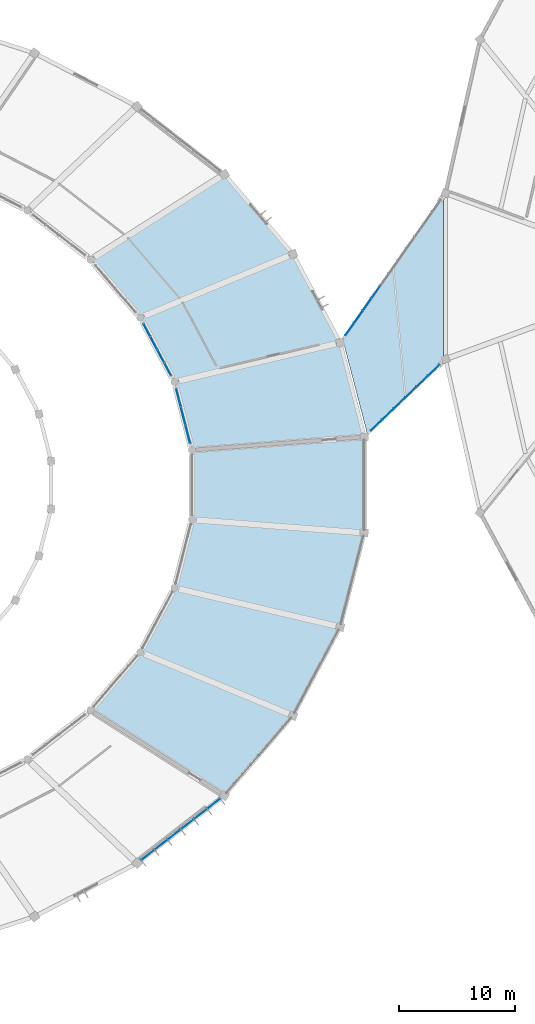
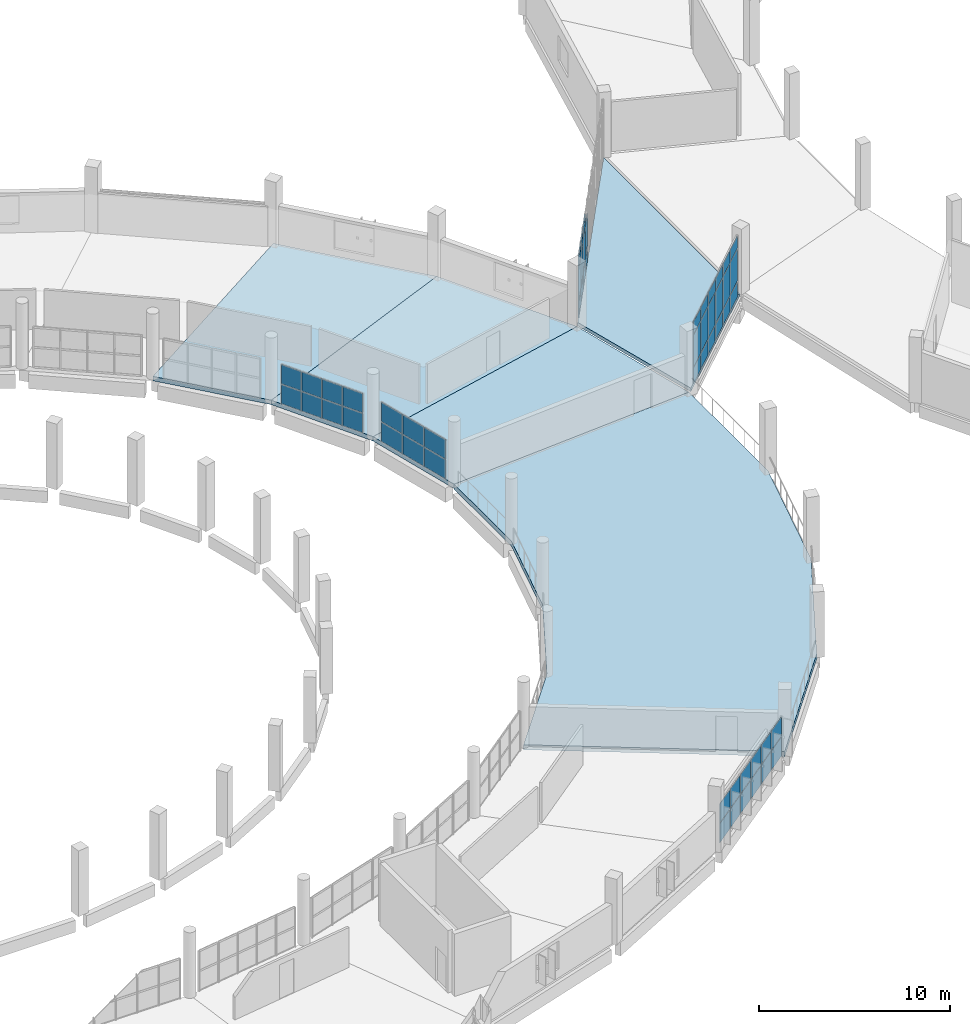
# One storey, part 86 of 142: 55 plates, 5 slabs, 5 elements without a shape of their own.
"""IFC4 building model written with IfcOpenShell, lengths in metres."""

from ifc_helpers import new_model, si_unit, direction, frame, origin, origin_2d, place, context, subcontext, project, spatial, polyline, rectangle, outline, extrude, material, layer, layer_set, type_object, element, aggregate, save


model = new_model("IFC4")

# Units and contexts
model_context = context("Model", 3, precision=1e-05, world=origin(), true_north=direction((0.0, 1.0)))
body_context = subcontext(model_context, "Body", "Model", "MODEL_VIEW")
ifc_project = project(units=[si_unit("LENGTHUNIT", "METRE"), si_unit("AREAUNIT", "SQUARE_METRE"), si_unit("VOLUMEUNIT", "CUBIC_METRE"), si_unit("PLANEANGLEUNIT", "RADIAN"), si_unit("MASSUNIT", "GRAM", prefix="KILO")], contexts=[model_context])

# Site, building, storey
site_placement = place(None, origin())
site = spatial("IfcSite", under=ifc_project, at=site_placement, CompositionType="ELEMENT")
building_placement = place(site_placement, origin())
building = spatial("IfcBuilding", under=site, at=building_placement, Name="Corvandel Quay Wholesale Market", CompositionType="ELEMENT")
storey_placement = place(building_placement, frame((0.0, 0.0, 10.800048828125)))
storey = spatial("IfcBuildingStorey", under=building, at=storey_placement, Name="L02", CompositionType="ELEMENT", Elevation=10.800048828125)

# Curtain wall, plates
ifc_material_1 = material(Name="Bronze anodised aluminium and low-E insulated glazing", Category="aluminium")
ifc_layer_1 = layer(ifc_material_1, 0.174072265625)
ifc_layer_set_1 = layer_set([ifc_layer_1], Name="Bronze anodised aluminium and low-E insulated glazing")
curtain_wall_type_1 = type_object("IfcCurtainWallType", Name="Stick Curtain Wall System CW27 H5430", PredefinedType="NOTDEFINED", material=ifc_layer_set_1)
curtain_wall_1_placement = place(storey_placement, origin())
curtain_wall_1 = element("IfcCurtainWall", 1, at=curtain_wall_1_placement, inside=storey, type_object=curtain_wall_type_1, Name="Curtain Wall CW-0178", PredefinedType="NOTDEFINED")
ifc_material_2 = material(Name="Solar-control low-E insulated glazing", Category="glass")
ifc_layer_2 = layer(ifc_material_2, 0.0400390625)
ifc_layer_set_2 = layer_set([ifc_layer_2], Name="Solar-control low-E insulated glazing")
plate_type_1 = type_object("IfcPlateType", Name="Ceramic Fritted Spandrel Panel PN03 40mm", PredefinedType="CURTAIN_PANEL", material=ifc_layer_set_2)
plate_1_placement = place(storey_placement, frame((169.0498046875, 47.14208984375, 3.1474609375), z_axis=(0.0, 0.0, 1.0), x_axis=(0.72236396206, 0.691513055782, 0.0)))
plate_1 = element("IfcPlate", 2, at=plate_1_placement, type_object=plate_type_1, Name="Glazing Panel CW-0178-P00-2", PredefinedType="CURTAIN_PANEL", context=body_context, shape_type="SweptSolid", body=[
    extrude(rectangle(XDim=1.31689453125, YDim=0.0400390625, at=origin_2d()), origin(), (0.0, 0.0, 1.0), 0.794921875),
])
plate_2_placement = place(storey_placement, frame((170.044189453125, 48.09423828125, 3.1474609375), z_axis=(0.0, 0.0, 1.0), x_axis=(0.72236396206, 0.691513055782, 0.0)))
plate_2 = element("IfcPlate", 3, at=plate_2_placement, type_object=plate_type_1, Name="Glazing Panel CW-0178-P01-2", PredefinedType="CURTAIN_PANEL", context=body_context, shape_type="SweptSolid", body=[
    extrude(rectangle(XDim=1.31689453125, YDim=0.0400390625, at=origin_2d()), origin(), (0.0, 0.0, 1.0), 0.794921875),
])
plate_3_placement = place(storey_placement, frame((171.038818359375, 49.04638671875, 3.1474609375), z_axis=(0.0, 0.0, 1.0), x_axis=(0.72236396206, 0.691513055782, 0.0)))
plate_3 = element("IfcPlate", 4, at=plate_3_placement, type_object=plate_type_1, Name="Glazing Panel CW-0178-P02-2", PredefinedType="CURTAIN_PANEL", context=body_context, shape_type="SweptSolid", body=[
    extrude(rectangle(XDim=1.31689453125, YDim=0.0400390625, at=origin_2d()), origin(), (0.0, 0.0, 1.0), 0.794921875),
])
plate_4_placement = place(storey_placement, frame((172.033447265625, 49.99853515625, 3.1474609375), z_axis=(0.0, 0.0, 1.0), x_axis=(0.72236396206, 0.691513055782, 0.0)))
plate_4 = element("IfcPlate", 5, at=plate_4_placement, type_object=plate_type_1, Name="Glazing Panel CW-0178-P03-2", PredefinedType="CURTAIN_PANEL", context=body_context, shape_type="SweptSolid", body=[
    extrude(rectangle(XDim=1.31689453125, YDim=0.0400390625, at=origin_2d()), origin(), (0.0, 0.0, 1.0), 0.794921875),
])
plate_5_placement = place(storey_placement, frame((173.02783203125, 50.95068359375, 3.1474609375), z_axis=(0.0, 0.0, 1.0), x_axis=(0.72236396206, 0.691513055782, 0.0)))
plate_5 = element("IfcPlate", 6, at=plate_5_placement, type_object=plate_type_1, Name="Glazing Panel CW-0178-P04-2", PredefinedType="CURTAIN_PANEL", context=body_context, shape_type="SweptSolid", body=[
    extrude(rectangle(XDim=1.31689453125, YDim=0.0400390625, at=origin_2d()), origin(), (0.0, 0.0, 1.0), 0.794921875),
])
plate_6_placement = place(storey_placement, frame((174.0224609375, 51.903076171875, 3.1474609375), z_axis=(0.0, 0.0, 1.0), x_axis=(0.72236396206, 0.691513055782, 0.0)))
plate_6 = element("IfcPlate", 7, at=plate_6_placement, type_object=plate_type_1, Name="Glazing Panel CW-0178-P05-2", PredefinedType="CURTAIN_PANEL", context=body_context, shape_type="SweptSolid", body=[
    extrude(rectangle(XDim=1.31689453125, YDim=0.0400390625, at=origin_2d()), origin(), (0.0, 0.0, 1.0), 0.794921875),
])

ifc_layer_3 = layer(ifc_material_1, 0.14990234375)
ifc_layer_set_3 = layer_set([ifc_layer_3], Name="Bronze anodised aluminium and low-E insulated glazing")
curtain_wall_type_2 = type_object("IfcCurtainWallType", Name="Stick Curtain Wall System CW20 H4800", PredefinedType="NOTDEFINED", material=ifc_layer_set_3)
curtain_wall_2_placement = place(storey_placement, origin())
curtain_wall_2 = element("IfcCurtainWall", 8, at=curtain_wall_2_placement, inside=storey, type_object=curtain_wall_type_2, Name="Curtain Wall CW-0179", PredefinedType="NOTDEFINED")
plate_7_placement = place(storey_placement, frame((166.739990234375, 55.410400390625, 3.1474609375), z_axis=(0.0, 0.0, 1.0), x_axis=(0.575148037348, 0.818049347616, 0.0)))
plate_7 = element("IfcPlate", 9, at=plate_7_placement, type_object=plate_type_1, Name="Glazing Panel CW-0179-P00-2", PredefinedType="CURTAIN_PANEL", context=body_context, shape_type="SweptSolid", body=[
    extrude(rectangle(XDim=1.24462890625, YDim=0.0400390625, at=origin_2d()), origin(), (0.0, 0.0, 1.0), 0.794921875),
])
plate_8_placement = place(storey_placement, frame((167.490234375, 56.477783203125, 3.1474609375), z_axis=(0.0, 0.0, 1.0), x_axis=(0.575148037348, 0.818049347616, 0.0)))
plate_8 = element("IfcPlate", 10, at=plate_8_placement, type_object=plate_type_1, Name="Glazing Panel CW-0179-P01-2", PredefinedType="CURTAIN_PANEL", context=body_context, shape_type="SweptSolid", body=[
    extrude(rectangle(XDim=1.24462890625, YDim=0.0400390625, at=origin_2d()), origin(), (0.0, 0.0, 1.0), 0.794921875),
])
plate_9_placement = place(storey_placement, frame((168.240478515625, 57.545166015625, 3.1474609375), z_axis=(0.0, 0.0, 1.0), x_axis=(0.575148037348, 0.818049347616, 0.0)))
plate_9 = element("IfcPlate", 11, at=plate_9_placement, type_object=plate_type_1, Name="Glazing Panel CW-0179-P02-2", PredefinedType="CURTAIN_PANEL", context=body_context, shape_type="SweptSolid", body=[
    extrude(rectangle(XDim=1.24462890625, YDim=0.0400390625, at=origin_2d()), origin(), (0.0, 0.0, 1.0), 0.794921875),
])

# Slabs
ifc_material_3 = material(Name="Precast concrete C45/55", Category="concrete")
ifc_layer_4 = layer(ifc_material_3, 0.219970703125)
ifc_layer_set_4 = layer_set([ifc_layer_4], Name="Precast concrete C45/55")
slab_type_1 = type_object("IfcSlabType", Name="Composite Precast Office Floor Slab 220", PredefinedType="FLOOR", material=ifc_layer_set_4)
slab_1_placement = place(storey_placement, frame((0.0, 0.0, -0.219970703125)))
element("IfcSlab", 12, at=slab_1_placement, inside=storey, type_object=slab_type_1, Name="Slab SLB-0482", PredefinedType="FLOOR", context=body_context, shape_type="SweptSolid", body=[
    extrude(outline(polyline([(168.263916015625, 46.388916015625), (174.80908203125, 52.656005859375), (174.847900390625, 66.944091796875), (166.135009765625, 54.550048828125), (168.263916015625, 46.388916015625)])), origin(), (0.0, 0.0, 1.0), 0.219970703125),
])
ifc_material_4 = material(Name="Concrete C40/50", Category="concrete")
ifc_layer_5 = layer(ifc_material_4, 0.280029296875)
ifc_layer_set_5 = layer_set([ifc_layer_5], Name="Concrete C40/50")
slab_type_2 = type_object("IfcSlabType", Name="Composite Sorting Gallery Floor Slab 280", PredefinedType="FLOOR", material=ifc_layer_set_5)
slab_2_placement = place(storey_placement, frame((0.0, 0.0, -0.280029296875)))
element("IfcSlab", 13, at=slab_2_placement, inside=storey, type_object=slab_type_2, Name="Slab SLB-0006", PredefinedType="FLOOR", context=body_context, shape_type="SweptSolid", body=[
    extrude(outline(polyline([(153.14990234375, 44.9990234375), (151.64501953125, 50.882080078125), (165.925048828125, 54.2509765625), (168.0, 46.136962890625), (153.14990234375, 44.9990234375)])), origin(), (0.0, 0.0, 1.0), 0.280029296875),
])
slab_3_placement = place(storey_placement, frame((0.0, 0.0, -0.280029296875)))
element("IfcSlab", 14, at=slab_3_placement, inside=storey, type_object=slab_type_2, Name="Slab SLB-0011", PredefinedType="FLOOR", context=body_context, shape_type="SweptSolid", body=[
    extrude(outline(polyline([(151.64501953125, 50.882080078125), (148.694091796875, 56.423095703125), (161.85400390625, 61.89404296875), (165.925048828125, 54.2509765625), (151.64501953125, 50.882080078125)])), origin(), (0.0, 0.0, 1.0), 0.280029296875),
])
slab_4_placement = place(storey_placement, frame((0.0, 0.0, -0.280029296875)))
element("IfcSlab", 15, at=slab_4_placement, inside=storey, type_object=slab_type_2, Name="Slab SLB-0016", PredefinedType="FLOOR", context=body_context, shape_type="SweptSolid", body=[
    extrude(outline(polyline([(148.694091796875, 56.423095703125), (144.409912109375, 61.410888671875), (155.945068359375, 68.77294921875), (161.85400390625, 61.89404296875), (148.694091796875, 56.423095703125)])), origin(), (0.0, 0.0, 1.0), 0.280029296875),
])

# Curtain wall, plates
ifc_layer_6 = layer(ifc_material_1, 0.174072265625)
ifc_layer_set_6 = layer_set([ifc_layer_6], Name="Bronze anodised aluminium and low-E insulated glazing")
curtain_wall_type_3 = type_object("IfcCurtainWallType", Name="Stick Curtain Wall System CW22 H4980", PredefinedType="NOTDEFINED", material=ifc_layer_set_6)
curtain_wall_3_placement = place(storey_placement, origin())
curtain_wall_3 = element("IfcCurtainWall", 16, at=curtain_wall_3_placement, inside=storey, type_object=curtain_wall_type_3, Name="Curtain Wall CW-0002", PredefinedType="NOTDEFINED")
ifc_layer_7 = layer(ifc_material_2, 0.028076171875)
ifc_layer_set_7 = layer_set([ifc_layer_7], Name="Solar-control low-E insulated glazing")
plate_type_2 = type_object("IfcPlateType", Name="Double Low-E Vision Panel PN01 28mm", PredefinedType="CURTAIN_PANEL", material=ifc_layer_set_7)
plate_10_placement = place(storey_placement, frame((152.800048828125, 46.366943359375, 0.02978515625), z_axis=(0.0, 0.0, 1.0), x_axis=(-0.247844544316, 0.968799815159, 0.0)))
plate_10 = element("IfcPlate", 17, at=plate_10_placement, type_object=plate_type_2, Name="Glazing Panel CW-0002-P00-0", PredefinedType="CURTAIN_PANEL", context=body_context, shape_type="SweptSolid", body=[
    extrude(rectangle(XDim=1.55908203125, YDim=0.028076171875, at=origin_2d()), origin(), (0.0, 0.0, 1.0), 1.215087890625),
])
plate_11_placement = place(storey_placement, frame((152.800048828125, 46.366943359375, 1.3046875), z_axis=(0.0, 0.0, 1.0), x_axis=(-0.247844544316, 0.968799815159, 0.0)))
plate_11 = element("IfcPlate", 18, at=plate_11_placement, type_object=plate_type_2, Name="Glazing Panel CW-0002-P00-1", PredefinedType="CURTAIN_PANEL", context=body_context, shape_type="SweptSolid", body=[
    extrude(rectangle(XDim=1.55908203125, YDim=0.028076171875, at=origin_2d()), origin(), (0.0, 0.0, 1.0), 1.215087890625),
])
plate_12_placement = place(storey_placement, frame((152.3974609375, 47.9404296875, 0.02978515625), z_axis=(0.0, 0.0, 1.0), x_axis=(-0.247844544316, 0.968799815159, 0.0)))
plate_12 = element("IfcPlate", 19, at=plate_12_placement, type_object=plate_type_2, Name="Glazing Panel CW-0002-P01-0", PredefinedType="CURTAIN_PANEL", context=body_context, shape_type="SweptSolid", body=[
    extrude(rectangle(XDim=1.55908203125, YDim=0.028076171875, at=origin_2d()), origin(), (0.0, 0.0, 1.0), 1.215087890625),
])
plate_13_placement = place(storey_placement, frame((152.3974609375, 47.9404296875, 1.3046875), z_axis=(0.0, 0.0, 1.0), x_axis=(-0.247844544316, 0.968799815159, 0.0)))
plate_13 = element("IfcPlate", 20, at=plate_13_placement, type_object=plate_type_2, Name="Glazing Panel CW-0002-P01-1", PredefinedType="CURTAIN_PANEL", context=body_context, shape_type="SweptSolid", body=[
    extrude(rectangle(XDim=1.55908203125, YDim=0.028076171875, at=origin_2d()), origin(), (0.0, 0.0, 1.0), 1.215087890625),
])
plate_14_placement = place(storey_placement, frame((151.9951171875, 49.513916015625, 0.02978515625), z_axis=(0.0, 0.0, 1.0), x_axis=(-0.247844544316, 0.968799815159, 0.0)))
plate_14 = element("IfcPlate", 21, at=plate_14_placement, type_object=plate_type_2, Name="Glazing Panel CW-0002-P02-0", PredefinedType="CURTAIN_PANEL", context=body_context, shape_type="SweptSolid", body=[
    extrude(rectangle(XDim=1.55908203125, YDim=0.028076171875, at=origin_2d()), origin(), (0.0, 0.0, 1.0), 1.215087890625),
])
plate_15_placement = place(storey_placement, frame((151.9951171875, 49.513916015625, 1.3046875), z_axis=(0.0, 0.0, 1.0), x_axis=(-0.247844544316, 0.968799815159, 0.0)))
plate_15 = element("IfcPlate", 22, at=plate_15_placement, type_object=plate_type_2, Name="Glazing Panel CW-0002-P02-1", PredefinedType="CURTAIN_PANEL", context=body_context, shape_type="SweptSolid", body=[
    extrude(rectangle(XDim=1.55908203125, YDim=0.028076171875, at=origin_2d()), origin(), (0.0, 0.0, 1.0), 1.215087890625),
])
aggregate(curtain_wall_3, [plate_10, plate_11, plate_12, plate_13, plate_14, plate_15])

ifc_layer_8 = layer(ifc_material_1, 0.18603515625)
ifc_layer_set_8 = layer_set([ifc_layer_8], Name="Bronze anodised aluminium and low-E insulated glazing")
curtain_wall_type_4 = type_object("IfcCurtainWallType", Name="Stick Curtain Wall System CW23 H5070", PredefinedType="NOTDEFINED", material=ifc_layer_set_8)
curtain_wall_4_placement = place(storey_placement, origin())
curtain_wall_4 = element("IfcCurtainWall", 23, at=curtain_wall_4_placement, inside=storey, type_object=curtain_wall_type_4, Name="Curtain Wall CW-0005", PredefinedType="NOTDEFINED")
plate_16_placement = place(storey_placement, frame((151.064697265625, 51.9716796875, 0.02978515625), z_axis=(0.0, 0.0, 1.0), x_axis=(-0.470087862033, 0.882619624736, 0.0)))
plate_16 = element("IfcPlate", 24, at=plate_16_placement, type_object=plate_type_2, Name="Glazing Panel CW-0005-P00-0", PredefinedType="CURTAIN_PANEL", context=body_context, shape_type="SweptSolid", body=[
    extrude(rectangle(XDim=1.20458984375, YDim=0.028076171875, at=origin_2d()), origin(), (0.0, 0.0, 1.0), 1.215087890625),
])
plate_17_placement = place(storey_placement, frame((151.064697265625, 51.9716796875, 1.3046875), z_axis=(0.0, 0.0, 1.0), x_axis=(-0.470087862033, 0.882619624736, 0.0)))
plate_17 = element("IfcPlate", 25, at=plate_17_placement, type_object=plate_type_2, Name="Glazing Panel CW-0005-P00-1", PredefinedType="CURTAIN_PANEL", context=body_context, shape_type="SweptSolid", body=[
    extrude(rectangle(XDim=1.20458984375, YDim=0.028076171875, at=origin_2d()), origin(), (0.0, 0.0, 1.0), 1.215087890625),
])
plate_18_placement = place(storey_placement, frame((150.468017578125, 53.09228515625, 0.02978515625), z_axis=(0.0, 0.0, 1.0), x_axis=(-0.470087862033, 0.882619624736, 0.0)))
plate_18 = element("IfcPlate", 26, at=plate_18_placement, type_object=plate_type_2, Name="Glazing Panel CW-0005-P01-0", PredefinedType="CURTAIN_PANEL", context=body_context, shape_type="SweptSolid", body=[
    extrude(rectangle(XDim=1.20458984375, YDim=0.028076171875, at=origin_2d()), origin(), (0.0, 0.0, 1.0), 1.215087890625),
])
plate_19_placement = place(storey_placement, frame((150.468017578125, 53.09228515625, 1.3046875), z_axis=(0.0, 0.0, 1.0), x_axis=(-0.470087862033, 0.882619624736, 0.0)))
plate_19 = element("IfcPlate", 27, at=plate_19_placement, type_object=plate_type_2, Name="Glazing Panel CW-0005-P01-1", PredefinedType="CURTAIN_PANEL", context=body_context, shape_type="SweptSolid", body=[
    extrude(rectangle(XDim=1.20458984375, YDim=0.028076171875, at=origin_2d()), origin(), (0.0, 0.0, 1.0), 1.215087890625),
])
plate_20_placement = place(storey_placement, frame((149.87109375, 54.212646484375, 0.02978515625), z_axis=(0.0, 0.0, 1.0), x_axis=(-0.470087862033, 0.882619624736, 0.0)))
plate_20 = element("IfcPlate", 28, at=plate_20_placement, type_object=plate_type_2, Name="Glazing Panel CW-0005-P02-0", PredefinedType="CURTAIN_PANEL", context=body_context, shape_type="SweptSolid", body=[
    extrude(rectangle(XDim=1.20458984375, YDim=0.028076171875, at=origin_2d()), origin(), (0.0, 0.0, 1.0), 1.215087890625),
])
plate_21_placement = place(storey_placement, frame((149.87109375, 54.212646484375, 1.3046875), z_axis=(0.0, 0.0, 1.0), x_axis=(-0.470087862033, 0.882619624736, 0.0)))
plate_21 = element("IfcPlate", 29, at=plate_21_placement, type_object=plate_type_2, Name="Glazing Panel CW-0005-P02-1", PredefinedType="CURTAIN_PANEL", context=body_context, shape_type="SweptSolid", body=[
    extrude(rectangle(XDim=1.20458984375, YDim=0.028076171875, at=origin_2d()), origin(), (0.0, 0.0, 1.0), 1.215087890625),
])
plate_22_placement = place(storey_placement, frame((149.2744140625, 55.333251953125, 0.02978515625), z_axis=(0.0, 0.0, 1.0), x_axis=(-0.470087862033, 0.882619624736, 0.0)))
plate_22 = element("IfcPlate", 30, at=plate_22_placement, type_object=plate_type_2, Name="Glazing Panel CW-0005-P03-0", PredefinedType="CURTAIN_PANEL", context=body_context, shape_type="SweptSolid", body=[
    extrude(rectangle(XDim=1.20458984375, YDim=0.028076171875, at=origin_2d()), origin(), (0.0, 0.0, 1.0), 1.215087890625),
])
plate_23_placement = place(storey_placement, frame((149.2744140625, 55.333251953125, 1.3046875), z_axis=(0.0, 0.0, 1.0), x_axis=(-0.470087862033, 0.882619624736, 0.0)))
plate_23 = element("IfcPlate", 31, at=plate_23_placement, type_object=plate_type_2, Name="Glazing Panel CW-0005-P03-1", PredefinedType="CURTAIN_PANEL", context=body_context, shape_type="SweptSolid", body=[
    extrude(rectangle(XDim=1.20458984375, YDim=0.028076171875, at=origin_2d()), origin(), (0.0, 0.0, 1.0), 1.215087890625),
])
aggregate(curtain_wall_4, [plate_16, plate_17, plate_18, plate_19, plate_20, plate_21, plate_22, plate_23])

ifc_layer_9 = layer(ifc_material_1, 0.18603515625)
ifc_layer_set_9 = layer_set([ifc_layer_9], Name="Bronze anodised aluminium and low-E insulated glazing")
curtain_wall_type_5 = type_object("IfcCurtainWallType", Name="Stick Curtain Wall System CW08 H3720", PredefinedType="NOTDEFINED", material=ifc_layer_set_9)
curtain_wall_5_placement = place(storey_placement, origin())
curtain_wall_5 = element("IfcCurtainWall", 32, at=curtain_wall_5_placement, inside=storey, type_object=curtain_wall_type_5, Name="Curtain Wall CW-0081", PredefinedType="NOTDEFINED")
plate_24_placement = place(storey_placement, frame((149.345703125, 10.09375, 0.02978515625), z_axis=(0.0, 0.0, 1.0), x_axis=(0.789298462742, 0.614009720373, 0.0)))
plate_24 = element("IfcPlate", 33, at=plate_24_placement, type_object=plate_type_2, Name="Glazing Panel CW-0081-P00-0", PredefinedType="CURTAIN_PANEL", context=body_context, shape_type="SweptSolid", body=[
    extrude(rectangle(XDim=1.373291015625, YDim=0.028076171875, at=origin_2d()), origin(), (0.0, 0.0, 1.0), 1.215087890625),
])
plate_25_placement = place(storey_placement, frame((149.345703125, 10.09375, 1.3046875), z_axis=(0.0, 0.0, 1.0), x_axis=(0.789298462742, 0.614009720373, 0.0)))
plate_25 = element("IfcPlate", 34, at=plate_25_placement, type_object=plate_type_2, Name="Glazing Panel CW-0081-P00-1", PredefinedType="CURTAIN_PANEL", context=body_context, shape_type="SweptSolid", body=[
    extrude(rectangle(XDim=1.373291015625, YDim=0.028076171875, at=origin_2d()), origin(), (0.0, 0.0, 1.0), 1.215087890625),
])
plate_26_placement = place(storey_placement, frame((150.481201171875, 10.976806640625, 0.02978515625), z_axis=(0.0, 0.0, 1.0), x_axis=(0.789298462742, 0.614009720373, 0.0)))
plate_26 = element("IfcPlate", 35, at=plate_26_placement, type_object=plate_type_2, Name="Glazing Panel CW-0081-P01-0", PredefinedType="CURTAIN_PANEL", context=body_context, shape_type="SweptSolid", body=[
    extrude(rectangle(XDim=1.373291015625, YDim=0.028076171875, at=origin_2d()), origin(), (0.0, 0.0, 1.0), 1.215087890625),
])
plate_27_placement = place(storey_placement, frame((150.481201171875, 10.976806640625, 1.3046875), z_axis=(0.0, 0.0, 1.0), x_axis=(0.789298462742, 0.614009720373, 0.0)))
plate_27 = element("IfcPlate", 36, at=plate_27_placement, type_object=plate_type_2, Name="Glazing Panel CW-0081-P01-1", PredefinedType="CURTAIN_PANEL", context=body_context, shape_type="SweptSolid", body=[
    extrude(rectangle(XDim=1.373291015625, YDim=0.028076171875, at=origin_2d()), origin(), (0.0, 0.0, 1.0), 1.215087890625),
])
plate_28_placement = place(storey_placement, frame((151.616455078125, 11.860107421875, 0.02978515625), z_axis=(0.0, 0.0, 1.0), x_axis=(0.789298462742, 0.614009720373, 0.0)))
plate_28 = element("IfcPlate", 37, at=plate_28_placement, type_object=plate_type_2, Name="Glazing Panel CW-0081-P02-0", PredefinedType="CURTAIN_PANEL", context=body_context, shape_type="SweptSolid", body=[
    extrude(rectangle(XDim=1.373291015625, YDim=0.028076171875, at=origin_2d()), origin(), (0.0, 0.0, 1.0), 1.215087890625),
])
plate_29_placement = place(storey_placement, frame((151.616455078125, 11.860107421875, 1.3046875), z_axis=(0.0, 0.0, 1.0), x_axis=(0.789298462742, 0.614009720373, 0.0)))
plate_29 = element("IfcPlate", 38, at=plate_29_placement, type_object=plate_type_2, Name="Glazing Panel CW-0081-P02-1", PredefinedType="CURTAIN_PANEL", context=body_context, shape_type="SweptSolid", body=[
    extrude(rectangle(XDim=1.373291015625, YDim=0.028076171875, at=origin_2d()), origin(), (0.0, 0.0, 1.0), 1.215087890625),
])
plate_30_placement = place(storey_placement, frame((152.751708984375, 12.742919921875, 0.02978515625), z_axis=(0.0, 0.0, 1.0), x_axis=(0.789298462742, 0.614009720373, 0.0)))
plate_30 = element("IfcPlate", 39, at=plate_30_placement, type_object=plate_type_2, Name="Glazing Panel CW-0081-P03-0", PredefinedType="CURTAIN_PANEL", context=body_context, shape_type="SweptSolid", body=[
    extrude(rectangle(XDim=1.373291015625, YDim=0.028076171875, at=origin_2d()), origin(), (0.0, 0.0, 1.0), 1.215087890625),
])
plate_31_placement = place(storey_placement, frame((152.751708984375, 12.742919921875, 1.3046875), z_axis=(0.0, 0.0, 1.0), x_axis=(0.789298462742, 0.614009720373, 0.0)))
plate_31 = element("IfcPlate", 40, at=plate_31_placement, type_object=plate_type_2, Name="Glazing Panel CW-0081-P03-1", PredefinedType="CURTAIN_PANEL", context=body_context, shape_type="SweptSolid", body=[
    extrude(rectangle(XDim=1.373291015625, YDim=0.028076171875, at=origin_2d()), origin(), (0.0, 0.0, 1.0), 1.215087890625),
])
plate_32_placement = place(storey_placement, frame((153.886962890625, 13.626220703125, 0.02978515625), z_axis=(0.0, 0.0, 1.0), x_axis=(0.789298462742, 0.614009720373, 0.0)))
plate_32 = element("IfcPlate", 41, at=plate_32_placement, type_object=plate_type_2, Name="Glazing Panel CW-0081-P04-0", PredefinedType="CURTAIN_PANEL", context=body_context, shape_type="SweptSolid", body=[
    extrude(rectangle(XDim=1.373291015625, YDim=0.028076171875, at=origin_2d()), origin(), (0.0, 0.0, 1.0), 1.215087890625),
])
plate_33_placement = place(storey_placement, frame((153.886962890625, 13.626220703125, 1.3046875), z_axis=(0.0, 0.0, 1.0), x_axis=(0.789298462742, 0.614009720373, 0.0)))
plate_33 = element("IfcPlate", 42, at=plate_33_placement, type_object=plate_type_2, Name="Glazing Panel CW-0081-P04-1", PredefinedType="CURTAIN_PANEL", context=body_context, shape_type="SweptSolid", body=[
    extrude(rectangle(XDim=1.373291015625, YDim=0.028076171875, at=origin_2d()), origin(), (0.0, 0.0, 1.0), 1.215087890625),
])
plate_34_placement = place(storey_placement, frame((155.022216796875, 14.50927734375, 0.02978515625), z_axis=(0.0, 0.0, 1.0), x_axis=(0.789298462742, 0.614009720373, 0.0)))
plate_34 = element("IfcPlate", 43, at=plate_34_placement, type_object=plate_type_2, Name="Glazing Panel CW-0081-P05-0", PredefinedType="CURTAIN_PANEL", context=body_context, shape_type="SweptSolid", body=[
    extrude(rectangle(XDim=1.373291015625, YDim=0.028076171875, at=origin_2d()), origin(), (0.0, 0.0, 1.0), 1.215087890625),
])
plate_35_placement = place(storey_placement, frame((155.022216796875, 14.50927734375, 1.3046875), z_axis=(0.0, 0.0, 1.0), x_axis=(0.789298462742, 0.614009720373, 0.0)))
plate_35 = element("IfcPlate", 44, at=plate_35_placement, type_object=plate_type_2, Name="Glazing Panel CW-0081-P05-1", PredefinedType="CURTAIN_PANEL", context=body_context, shape_type="SweptSolid", body=[
    extrude(rectangle(XDim=1.373291015625, YDim=0.028076171875, at=origin_2d()), origin(), (0.0, 0.0, 1.0), 1.215087890625),
])
aggregate(curtain_wall_5, [plate_24, plate_25, plate_26, plate_27, plate_28, plate_29, plate_30, plate_31, plate_32, plate_33, plate_34, plate_35])

# Plate
plate_36_placement = place(storey_placement, frame((169.0498046875, 47.14208984375, -0.002685546875), z_axis=(0.0, 0.0, 1.0), x_axis=(0.72236396206, 0.691513055782, 0.0)))
plate_36 = element("IfcPlate", 45, at=plate_36_placement, type_object=plate_type_2, Name="Glazing Panel CW-0178-P00-0", PredefinedType="CURTAIN_PANEL", context=body_context, shape_type="SweptSolid", body=[
    extrude(rectangle(XDim=1.31689453125, YDim=0.028076171875, at=origin_2d()), origin(), (0.0, 0.0, 1.0), 0.9951171875),
])

plate_37_placement = place(storey_placement, frame((169.0498046875, 47.14208984375, 1.047607421875), z_axis=(0.0, 0.0, 1.0), x_axis=(0.72236396206, 0.691513055782, 0.0)))
plate_37 = element("IfcPlate", 46, at=plate_37_placement, type_object=plate_type_2, Name="Glazing Panel CW-0178-P00-1", PredefinedType="CURTAIN_PANEL", context=body_context, shape_type="SweptSolid", body=[
    extrude(rectangle(XDim=1.31689453125, YDim=0.028076171875, at=origin_2d()), origin(), (0.0, 0.0, 1.0), 2.044921875),
])

plate_38_placement = place(storey_placement, frame((170.044189453125, 48.09423828125, -0.002685546875), z_axis=(0.0, 0.0, 1.0), x_axis=(0.72236396206, 0.691513055782, 0.0)))
plate_38 = element("IfcPlate", 47, at=plate_38_placement, type_object=plate_type_2, Name="Glazing Panel CW-0178-P01-0", PredefinedType="CURTAIN_PANEL", context=body_context, shape_type="SweptSolid", body=[
    extrude(rectangle(XDim=1.31689453125, YDim=0.028076171875, at=origin_2d()), origin(), (0.0, 0.0, 1.0), 0.9951171875),
])

plate_39_placement = place(storey_placement, frame((170.044189453125, 48.09423828125, 1.047607421875), z_axis=(0.0, 0.0, 1.0), x_axis=(0.72236396206, 0.691513055782, 0.0)))
plate_39 = element("IfcPlate", 48, at=plate_39_placement, type_object=plate_type_2, Name="Glazing Panel CW-0178-P01-1", PredefinedType="CURTAIN_PANEL", context=body_context, shape_type="SweptSolid", body=[
    extrude(rectangle(XDim=1.31689453125, YDim=0.028076171875, at=origin_2d()), origin(), (0.0, 0.0, 1.0), 2.044921875),
])

plate_40_placement = place(storey_placement, frame((171.038818359375, 49.04638671875, -0.002685546875), z_axis=(0.0, 0.0, 1.0), x_axis=(0.72236396206, 0.691513055782, 0.0)))
plate_40 = element("IfcPlate", 49, at=plate_40_placement, type_object=plate_type_2, Name="Glazing Panel CW-0178-P02-0", PredefinedType="CURTAIN_PANEL", context=body_context, shape_type="SweptSolid", body=[
    extrude(rectangle(XDim=1.31689453125, YDim=0.028076171875, at=origin_2d()), origin(), (0.0, 0.0, 1.0), 0.9951171875),
])

plate_41_placement = place(storey_placement, frame((171.038818359375, 49.04638671875, 1.047607421875), z_axis=(0.0, 0.0, 1.0), x_axis=(0.72236396206, 0.691513055782, 0.0)))
plate_41 = element("IfcPlate", 50, at=plate_41_placement, type_object=plate_type_2, Name="Glazing Panel CW-0178-P02-1", PredefinedType="CURTAIN_PANEL", context=body_context, shape_type="SweptSolid", body=[
    extrude(rectangle(XDim=1.31689453125, YDim=0.028076171875, at=origin_2d()), origin(), (0.0, 0.0, 1.0), 2.044921875),
])

plate_42_placement = place(storey_placement, frame((172.033447265625, 49.99853515625, -0.002685546875), z_axis=(0.0, 0.0, 1.0), x_axis=(0.72236396206, 0.691513055782, 0.0)))
plate_42 = element("IfcPlate", 51, at=plate_42_placement, type_object=plate_type_2, Name="Glazing Panel CW-0178-P03-0", PredefinedType="CURTAIN_PANEL", context=body_context, shape_type="SweptSolid", body=[
    extrude(rectangle(XDim=1.31689453125, YDim=0.028076171875, at=origin_2d()), origin(), (0.0, 0.0, 1.0), 0.9951171875),
])

plate_43_placement = place(storey_placement, frame((172.033447265625, 49.99853515625, 1.047607421875), z_axis=(0.0, 0.0, 1.0), x_axis=(0.72236396206, 0.691513055782, 0.0)))
plate_43 = element("IfcPlate", 52, at=plate_43_placement, type_object=plate_type_2, Name="Glazing Panel CW-0178-P03-1", PredefinedType="CURTAIN_PANEL", context=body_context, shape_type="SweptSolid", body=[
    extrude(rectangle(XDim=1.31689453125, YDim=0.028076171875, at=origin_2d()), origin(), (0.0, 0.0, 1.0), 2.044921875),
])

plate_44_placement = place(storey_placement, frame((173.02783203125, 50.95068359375, -0.002685546875), z_axis=(0.0, 0.0, 1.0), x_axis=(0.72236396206, 0.691513055782, 0.0)))
plate_44 = element("IfcPlate", 53, at=plate_44_placement, type_object=plate_type_2, Name="Glazing Panel CW-0178-P04-0", PredefinedType="CURTAIN_PANEL", context=body_context, shape_type="SweptSolid", body=[
    extrude(rectangle(XDim=1.31689453125, YDim=0.028076171875, at=origin_2d()), origin(), (0.0, 0.0, 1.0), 0.9951171875),
])

plate_45_placement = place(storey_placement, frame((173.02783203125, 50.95068359375, 1.047607421875), z_axis=(0.0, 0.0, 1.0), x_axis=(0.72236396206, 0.691513055782, 0.0)))
plate_45 = element("IfcPlate", 54, at=plate_45_placement, type_object=plate_type_2, Name="Glazing Panel CW-0178-P04-1", PredefinedType="CURTAIN_PANEL", context=body_context, shape_type="SweptSolid", body=[
    extrude(rectangle(XDim=1.31689453125, YDim=0.028076171875, at=origin_2d()), origin(), (0.0, 0.0, 1.0), 2.044921875),
])

plate_46_placement = place(storey_placement, frame((174.0224609375, 51.903076171875, -0.002685546875), z_axis=(0.0, 0.0, 1.0), x_axis=(0.72236396206, 0.691513055782, 0.0)))
plate_46 = element("IfcPlate", 55, at=plate_46_placement, type_object=plate_type_2, Name="Glazing Panel CW-0178-P05-0", PredefinedType="CURTAIN_PANEL", context=body_context, shape_type="SweptSolid", body=[
    extrude(rectangle(XDim=1.31689453125, YDim=0.028076171875, at=origin_2d()), origin(), (0.0, 0.0, 1.0), 0.9951171875),
])

plate_47_placement = place(storey_placement, frame((174.0224609375, 51.903076171875, 1.047607421875), z_axis=(0.0, 0.0, 1.0), x_axis=(0.72236396206, 0.691513055782, 0.0)))
plate_47 = element("IfcPlate", 56, at=plate_47_placement, type_object=plate_type_2, Name="Glazing Panel CW-0178-P05-1", PredefinedType="CURTAIN_PANEL", context=body_context, shape_type="SweptSolid", body=[
    extrude(rectangle(XDim=1.31689453125, YDim=0.028076171875, at=origin_2d()), origin(), (0.0, 0.0, 1.0), 2.044921875),
])

aggregate(curtain_wall_1, [plate_36, plate_37, plate_1, plate_38, plate_39, plate_2, plate_40, plate_41, plate_3, plate_42, plate_43, plate_4, plate_44, plate_45, plate_5, plate_46, plate_47, plate_6])

plate_48_placement = place(storey_placement, frame((166.739990234375, 55.410400390625, -0.002685546875), z_axis=(0.0, 0.0, 1.0), x_axis=(0.575148037348, 0.818049347616, 0.0)))
plate_48 = element("IfcPlate", 57, at=plate_48_placement, type_object=plate_type_2, Name="Glazing Panel CW-0179-P00-0", PredefinedType="CURTAIN_PANEL", context=body_context, shape_type="SweptSolid", body=[
    extrude(rectangle(XDim=1.24462890625, YDim=0.028076171875, at=origin_2d()), origin(), (0.0, 0.0, 1.0), 0.9951171875),
])

plate_49_placement = place(storey_placement, frame((166.739990234375, 55.410400390625, 1.047607421875), z_axis=(0.0, 0.0, 1.0), x_axis=(0.575148037348, 0.818049347616, 0.0)))
plate_49 = element("IfcPlate", 58, at=plate_49_placement, type_object=plate_type_2, Name="Glazing Panel CW-0179-P00-1", PredefinedType="CURTAIN_PANEL", context=body_context, shape_type="SweptSolid", body=[
    extrude(rectangle(XDim=1.24462890625, YDim=0.028076171875, at=origin_2d()), origin(), (0.0, 0.0, 1.0), 2.044921875),
])

plate_50_placement = place(storey_placement, frame((167.490234375, 56.477783203125, -0.002685546875), z_axis=(0.0, 0.0, 1.0), x_axis=(0.575148037348, 0.818049347616, 0.0)))
plate_50 = element("IfcPlate", 59, at=plate_50_placement, type_object=plate_type_2, Name="Glazing Panel CW-0179-P01-0", PredefinedType="CURTAIN_PANEL", context=body_context, shape_type="SweptSolid", body=[
    extrude(rectangle(XDim=1.24462890625, YDim=0.028076171875, at=origin_2d()), origin(), (0.0, 0.0, 1.0), 0.9951171875),
])

plate_51_placement = place(storey_placement, frame((167.490234375, 56.477783203125, 1.047607421875), z_axis=(0.0, 0.0, 1.0), x_axis=(0.575148037348, 0.818049347616, 0.0)))
plate_51 = element("IfcPlate", 60, at=plate_51_placement, type_object=plate_type_2, Name="Glazing Panel CW-0179-P01-1", PredefinedType="CURTAIN_PANEL", context=body_context, shape_type="SweptSolid", body=[
    extrude(rectangle(XDim=1.24462890625, YDim=0.028076171875, at=origin_2d()), origin(), (0.0, 0.0, 1.0), 2.044921875),
])

plate_52_placement = place(storey_placement, frame((168.240478515625, 57.545166015625, -0.002685546875), z_axis=(0.0, 0.0, 1.0), x_axis=(0.575148037348, 0.818049347616, 0.0)))
plate_52 = element("IfcPlate", 61, at=plate_52_placement, type_object=plate_type_2, Name="Glazing Panel CW-0179-P02-0", PredefinedType="CURTAIN_PANEL", context=body_context, shape_type="SweptSolid", body=[
    extrude(rectangle(XDim=1.24462890625, YDim=0.028076171875, at=origin_2d()), origin(), (0.0, 0.0, 1.0), 0.9951171875),
])

plate_53_placement = place(storey_placement, frame((168.240478515625, 57.545166015625, 1.047607421875), z_axis=(0.0, 0.0, 1.0), x_axis=(0.575148037348, 0.818049347616, 0.0)))
plate_53 = element("IfcPlate", 62, at=plate_53_placement, type_object=plate_type_2, Name="Glazing Panel CW-0179-P02-1", PredefinedType="CURTAIN_PANEL", context=body_context, shape_type="SweptSolid", body=[
    extrude(rectangle(XDim=1.24462890625, YDim=0.028076171875, at=origin_2d()), origin(), (0.0, 0.0, 1.0), 2.044921875),
])

plate_54_placement = place(storey_placement, frame((168.99072265625, 58.6123046875, -0.002685546875), z_axis=(0.0, 0.0, 1.0), x_axis=(0.575148037348, 0.818049347616, 0.0)))
plate_54 = element("IfcPlate", 63, at=plate_54_placement, type_object=plate_type_2, Name="Glazing Panel CW-0179-P03-0", PredefinedType="CURTAIN_PANEL", context=body_context, shape_type="SweptSolid", body=[
    extrude(rectangle(XDim=1.24462890625, YDim=0.028076171875, at=origin_2d()), origin(), (0.0, 0.0, 1.0), 0.9951171875),
])

plate_55_placement = place(storey_placement, frame((168.99072265625, 58.6123046875, 1.047607421875), z_axis=(0.0, 0.0, 1.0), x_axis=(0.575148037348, 0.818049347616, 0.0)))
plate_55 = element("IfcPlate", 64, at=plate_55_placement, type_object=plate_type_2, Name="Glazing Panel CW-0179-P03-1", PredefinedType="CURTAIN_PANEL", context=body_context, shape_type="SweptSolid", body=[
    extrude(rectangle(XDim=1.24462890625, YDim=0.028076171875, at=origin_2d()), origin(), (0.0, 0.0, 1.0), 2.044921875),
])

aggregate(curtain_wall_2, [plate_48, plate_49, plate_7, plate_50, plate_51, plate_8, plate_52, plate_53, plate_9, plate_54, plate_55])

# Slab
ifc_layer_10 = layer(ifc_material_4, 0.320068359375)
ifc_layer_set_10 = layer_set([ifc_layer_10], Name="Concrete C40/50")
slab_type_3 = type_object("IfcSlabType", Name="Planted Roof Garden Terrace Slab 320", PredefinedType="FLOOR", material=ifc_layer_set_10)
slab_5_placement = place(storey_placement, frame((0.0, 0.0, -0.320068359375)))
element("IfcSlab", 65, at=slab_5_placement, inside=storey, type_object=slab_type_3, Name="Slab SLB-0142", PredefinedType="FLOOR", context=body_context, shape_type="SweptSolid", body=[
    extrude(outline(polyline([(144.409912109375, 22.589111328125), (148.694091796875, 27.576904296875), (151.64501953125, 33.117919921875), (153.14990234375, 39.0009765625), (153.14990234375, 44.9990234375), (168.0, 46.136962890625), (168.0, 37.863037109375), (165.925048828125, 29.7490234375), (161.85400390625, 22.10595703125), (155.945068359375, 15.22705078125), (144.409912109375, 22.589111328125)])), origin(), (0.0, 0.0, 1.0), 0.320068359375),
])

save(model, "model.ifc")
